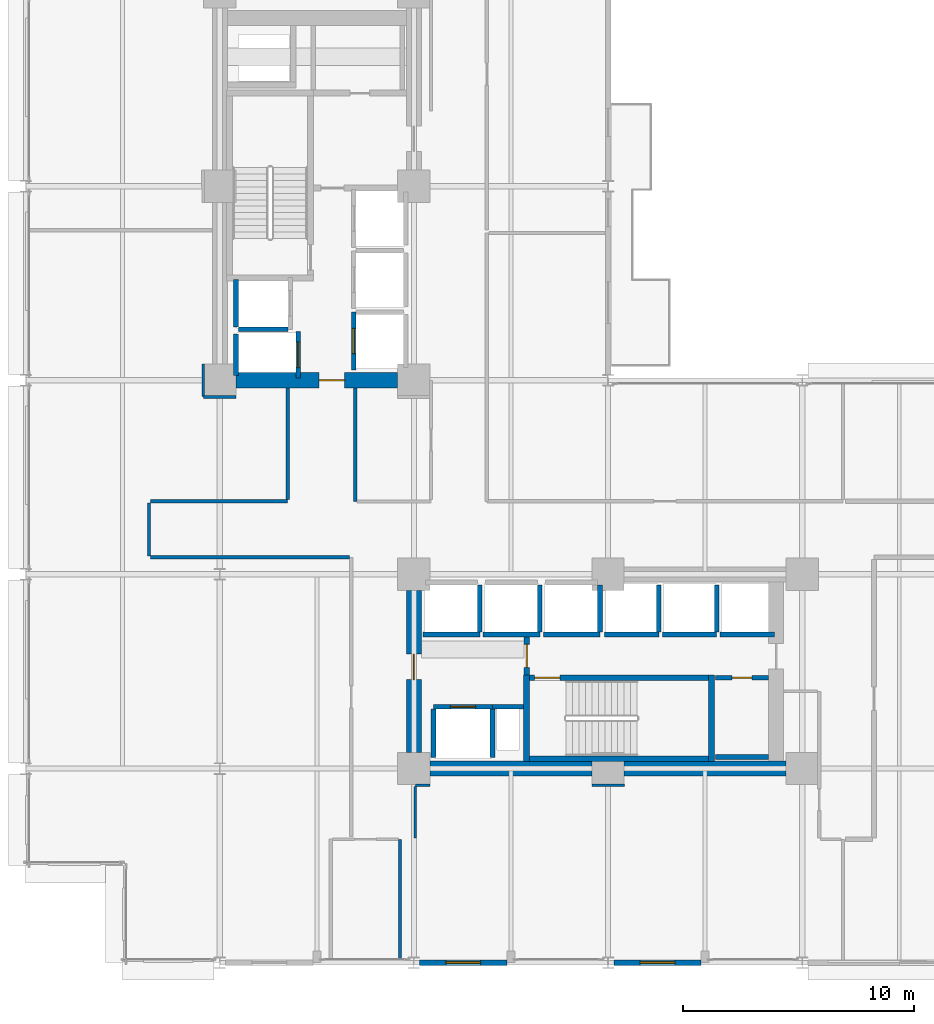
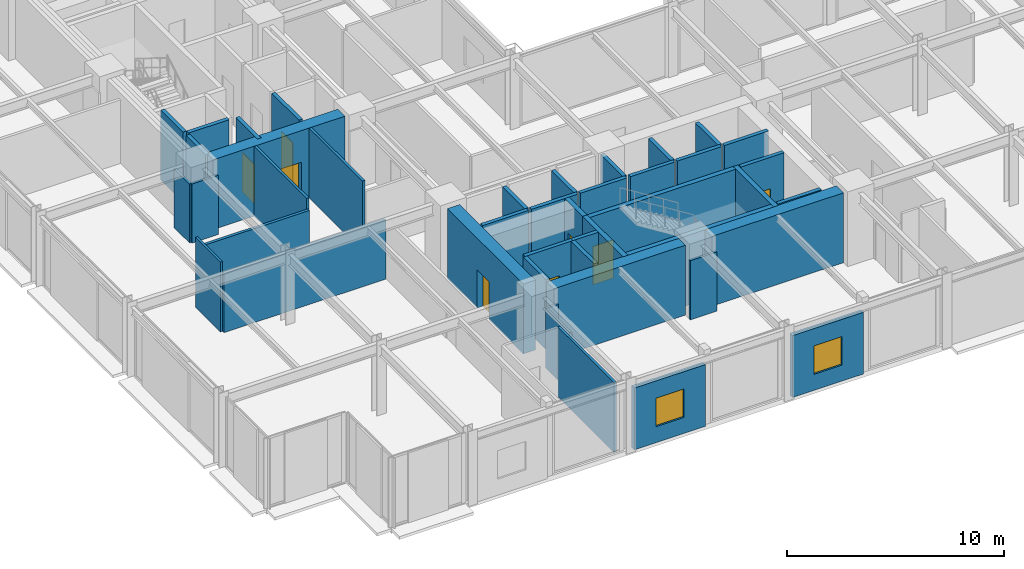
# One storey, part 20 of 25: 44 walls, 8 doors, 2 windows, 10 openings.
"""IFC4 building model written with IfcOpenShell, lengths in metres."""

from ifc_helpers import new_model, si_unit, direction, frame, frame_2d, origin, place, context, subcontext, project, spatial, rectangle, extrude, material, layer, layer_set, type_object, element, fill, save


model = new_model("IFC4")

# Units and contexts
model_context = context("Model", 3, precision=1e-05, world=origin(), true_north=direction((0.0, 1.0)))
body_context = subcontext(model_context, "Body", "Model", "MODEL_VIEW")
ifc_project = project(units=[si_unit("LENGTHUNIT", "METRE"), si_unit("AREAUNIT", "SQUARE_METRE"), si_unit("VOLUMEUNIT", "CUBIC_METRE"), si_unit("PLANEANGLEUNIT", "RADIAN"), si_unit("MASSUNIT", "GRAM", prefix="KILO")], contexts=[model_context])

# Site, building, storey
site_placement = place(None, origin())
site = spatial("IfcSite", under=ifc_project, at=site_placement, CompositionType="ELEMENT")
building_placement = place(site_placement, origin())
building = spatial("IfcBuilding", under=site, at=building_placement, Name="Nerrivon Quay Data Exchange", CompositionType="ELEMENT")
storey_placement = place(building_placement, frame((0.0, 0.0, 24.800048828125)))
storey = spatial("IfcBuildingStorey", under=building, at=storey_placement, Name="L05", CompositionType="ELEMENT", Elevation=24.800048828125)

# Wall, opening, window
ifc_material_1 = material(Name="Architectural terracotta precast concrete N50 (50 MPa)", Category="masonry")
ifc_layer_1 = layer(ifc_material_1, 0.239990234375)
ifc_layer_set_1 = layer_set([ifc_layer_1], Name="Architectural terracotta precast concrete N50 (50 MPa)")
wall_type_1 = type_object("IfcWallType", Name="EW-PREC-240", PredefinedType="STANDARD", material=ifc_layer_set_1)
wall_1_placement = place(storey_placement, frame((29.22509765625, 0.0, 0.0), z_axis=(0.0, 0.0, 1.0), x_axis=(-1.0, 0.0, 0.0)))
wall_1 = element("IfcWall", 1, at=wall_1_placement, inside=storey, type_object=wall_type_1, Name="L05 Podium Precast Spandrel Wall 5", PredefinedType="STANDARD", context=body_context, shape_type="SweptSolid", body=[
    extrude(rectangle(XDim=3.775146484375, YDim=0.239990234375, at=frame_2d((1.8876953125, 0.0))), origin(), (0.0, 0.0, 1.0), 3.470947265625),
])
opening_1_placement = place(wall_1_placement, frame((1.137451171875, 0.0, 0.89990234375)))
opening_1 = element("IfcOpeningElement", 2, at=opening_1_placement, cuts=wall_1, Name="Opening WN4", PredefinedType="OPENING", context=body_context, shape_type="SweptSolid", body=[
    extrude(rectangle(XDim=1.5, YDim=1.60009765625, at=frame_2d((0.75, 0.800048828125))), frame((0.0, 0.1298828125, 0.0), z_axis=(0.0, -1.0, 0.0), x_axis=(1.0, 0.0, 0.0)), (0.0, 0.0, 1.0), 0.260009765625),
])
ifc_material_2 = material(Name="Double-glazed low-E solar control glass", Category="glass")
window_type = type_object("IfcWindowType", Name="WIN-W4-1500x1600", PartitioningType="SINGLE_PANEL", PredefinedType="WINDOW", material=ifc_material_2)
window_1_placement = place(opening_1_placement, origin())
window_1 = element("IfcWindow", 3, at=window_1_placement, inside=storey, type_object=window_type, Name="L05 Solar Facade Window 5", OverallHeight=1.60009765625, OverallWidth=1.5, PartitioningType="SINGLE_PANEL", PredefinedType="WINDOW", context=body_context, shape_type="SweptSolid", body=[
    extrude(rectangle(XDim=1.5, YDim=1.60009765625, at=frame_2d((0.75, 0.800048828125))), frame((0.0, 0.030029296875, 0.0), z_axis=(0.0, -1.0, 0.0), x_axis=(1.0, 0.0, 0.0)), (0.0, 0.0, 1.0), 0.06005859375),
])
fill(opening_1, window_1)

wall_2_placement = place(storey_placement, frame((20.824951171875, 0.0, 0.0), z_axis=(0.0, 0.0, 1.0), x_axis=(-1.0, 0.0, 0.0)))
wall_2 = element("IfcWall", 4, at=wall_2_placement, inside=storey, type_object=wall_type_1, Name="L05 Podium Precast Spandrel Wall 7", PredefinedType="STANDARD", context=body_context, shape_type="SweptSolid", body=[
    extrude(rectangle(XDim=3.77490234375, YDim=0.239990234375, at=frame_2d((1.887451171875, 0.0))), origin(), (0.0, 0.0, 1.0), 3.470947265625),
])
opening_2_placement = place(wall_2_placement, frame((1.137451171875, 0.0, 0.89990234375)))
opening_2 = element("IfcOpeningElement", 5, at=opening_2_placement, cuts=wall_2, Name="Opening WN4", PredefinedType="OPENING", context=body_context, shape_type="SweptSolid", body=[
    extrude(rectangle(XDim=1.5, YDim=1.60009765625, at=frame_2d((0.75, 0.800048828125))), frame((0.0, 0.1298828125, 0.0), z_axis=(0.0, -1.0, 0.0), x_axis=(1.0, 0.0, 0.0)), (0.0, 0.0, 1.0), 0.260009765625),
])
window_2_placement = place(opening_2_placement, origin())
window_2 = element("IfcWindow", 6, at=window_2_placement, inside=storey, type_object=window_type, Name="L05 Solar Facade Window 7", OverallHeight=1.60009765625, OverallWidth=1.5, PartitioningType="SINGLE_PANEL", PredefinedType="WINDOW", context=body_context, shape_type="SweptSolid", body=[
    extrude(rectangle(XDim=1.5, YDim=1.60009765625, at=frame_2d((0.75, 0.800048828125))), frame((0.0, 0.030029296875, 0.0), z_axis=(0.0, -1.0, 0.0), x_axis=(1.0, 0.0, 0.0)), (0.0, 0.0, 1.0), 0.06005859375),
])
fill(opening_2, window_2)

# Wall, opening, door
ifc_material_3 = material(Name="Concrete N80 (80 MPa)", Category="concrete")
ifc_layer_2 = layer(ifc_material_3, 0.64990234375)
ifc_layer_set_2 = layer_set([ifc_layer_2], Name="Concrete N80 (80 MPa)")
wall_type_2 = type_object("IfcWallType", Name="WALL-CW-850", PredefinedType="SHEAR", material=ifc_layer_set_2)
wall_3_placement = place(storey_placement, frame((9.10009765625, 25.199951171875, 0.0), z_axis=(0.0, 0.0, 1.0), x_axis=(1.0, 0.0, 0.0)))
wall_3 = element("IfcWall", 7, at=wall_3_placement, inside=storey, type_object=wall_type_2, Name="L05 West Split-Core Shear Wall WCW-S1", PredefinedType="SHEAR", context=body_context, shape_type="SweptSolid", body=[
    extrude(rectangle(XDim=7.0, YDim=0.64990234375, at=frame_2d((3.5, 0.0))), origin(), (0.0, 0.0, 1.0), 3.925048828125),
])
opening_3_placement = place(wall_3_placement, frame((3.60009765625, 0.0, 0.0)))
opening_3 = element("IfcOpeningElement", 8, at=opening_3_placement, cuts=wall_3, Name="Opening FD-120", PredefinedType="OPENING", context=body_context, shape_type="SweptSolid", body=[
    extrude(rectangle(XDim=1.10009765625, YDim=2.14990234375, at=frame_2d((0.550048828125, 1.074951171875))), frame((0.0, 0.3349609375, 0.0), z_axis=(0.0, -1.0, 0.0), x_axis=(1.0, 0.0, 0.0)), (0.0, 0.0, 1.0), 0.669921875),
])
ifc_material_4 = material(Name="Powder-coated galvanized steel sheet", Category="steel")
door_type_1 = type_object("IfcDoorType", Name="DR-FD120-1100", OperationType="NOTDEFINED", PredefinedType="DOOR", material=ifc_material_4)
door_1_placement = place(opening_3_placement, origin())
door_1 = element("IfcDoor", 9, at=door_1_placement, inside=storey, type_object=door_type_1, Name="L05 West Core Lobby Fire Door", OperationType="SINGLE_SWING_LEFT", OverallHeight=2.14990234375, OverallWidth=1.10009765625, PredefinedType="DOOR", context=body_context, shape_type="SweptSolid", body=[
    extrude(rectangle(XDim=1.10009765625, YDim=2.14990234375, at=frame_2d((0.550048828125, 1.074951171875))), frame((0.0, 0.02490234375, 0.0), z_axis=(0.0, -1.0, 0.0), x_axis=(1.0, 0.0, 0.0)), (0.0, 0.0, 1.0), 0.050048828125),
])
fill(opening_3, door_1)

# Walls
for number, where, z_axis, x_axis, name in (
    (10, (17.5, 8.39990234375, 0.0), (0.0, 0.0, 1.0), (1.0, 0.0, 0.0), "L05 East Split-Core Shear Wall ECW-S1"),
    (11, (25.89990234375, 8.39990234375, 0.0), (0.0, 0.0, 1.0), (1.0, 0.0, 0.0), "L05 East Split-Core Shear Wall ECW-S2"),
):
    element("IfcWall", number, at=place(storey_placement, frame(where, z_axis=z_axis, x_axis=x_axis)), inside=storey, type_object=wall_type_2, Name=name, PredefinedType="SHEAR", context=body_context, shape_type="SweptSolid", body=[
        extrude(rectangle(XDim=7.0, YDim=0.64990234375, at=frame_2d((3.5, 0.0))), origin(), (0.0, 0.0, 1.0), 3.925048828125),
    ])

# Wall, opening, door
wall_4_placement = place(storey_placement, frame((16.800048828125, 9.10009765625, 0.0), z_axis=(0.0, 0.0, 1.0), x_axis=(0.0, 1.0, 0.0)))
wall_4 = element("IfcWall", 12, at=wall_4_placement, inside=storey, type_object=wall_type_2, Name="L05 East Split-Core Shear Wall ECW-W1", PredefinedType="SHEAR", context=body_context, shape_type="SweptSolid", body=[
    extrude(rectangle(XDim=7.0, YDim=0.64990234375, at=frame_2d((3.5, 0.0))), origin(), (0.0, 0.0, 1.0), 3.925048828125),
])
opening_4_placement = place(wall_4_placement, frame((3.14990234375, 0.0, 0.0)))
opening_4 = element("IfcOpeningElement", 13, at=opening_4_placement, cuts=wall_4, Name="Opening FD-120", PredefinedType="OPENING", context=body_context, shape_type="SweptSolid", body=[
    extrude(rectangle(XDim=1.10009765625, YDim=2.14990234375, at=frame_2d((0.550048828125, 1.074951171875))), frame((0.0, 0.3349609375, 0.0), z_axis=(0.0, -1.0, 0.0), x_axis=(1.0, 0.0, 0.0)), (0.0, 0.0, 1.0), 0.669921875),
])
door_2_placement = place(opening_4_placement, origin())
door_2 = element("IfcDoor", 14, at=door_2_placement, inside=storey, type_object=door_type_1, Name="L05 East Core Lobby Fire Door", OperationType="SINGLE_SWING_LEFT", OverallHeight=2.14990234375, OverallWidth=1.10009765625, PredefinedType="DOOR", context=body_context, shape_type="SweptSolid", body=[
    extrude(rectangle(XDim=1.10009765625, YDim=2.14990234375, at=frame_2d((0.550048828125, 1.074951171875))), frame((0.0, 0.02490234375, 0.0), z_axis=(0.0, -1.0, 0.0), x_axis=(1.0, 0.0, 0.0)), (0.0, 0.0, 1.0), 0.050048828125),
])
fill(opening_4, door_2)

# Walls
ifc_material_5 = material(Name="Gypsum plasterboard on cold-formed framing", Category="gypsum")
ifc_layer_3 = layer(ifc_material_5, 0.199951171875)
ifc_layer_set_3 = layer_set([ifc_layer_3], Name="Gypsum plasterboard on cold-formed framing")
wall_type_3 = type_object("IfcWallType", Name="WALL-FW-200", PredefinedType="PARTITIONING", material=ifc_layer_set_3)
wall_5_placement = place(storey_placement, frame((20.199951171875, 11.080078125, 0.0), z_axis=(0.0, 0.0, 1.0), x_axis=(1.0, 0.0, 0.0)))
element("IfcWall", 15, at=wall_5_placement, inside=storey, type_object=wall_type_3, Name="L05 East Core MEP Riser Shaft Wall N", PredefinedType="PARTITIONING", context=body_context, shape_type="SweptSolid", body=[
    extrude(rectangle(XDim=1.35009765625, YDim=0.199951171875, at=frame_2d((0.675048828125, 0.0))), origin(), (0.0, 0.0, 1.0), 3.925048828125),
])
wall_6_placement = place(storey_placement, frame((9.10009765625, 27.5, 0.0), z_axis=(0.0, 0.0, 1.0), x_axis=(0.0, 1.0, 0.0)))
element("IfcWall", 16, at=wall_6_placement, inside=storey, type_object=wall_type_3, Name="L05 Lift Shaft Wall FFL-1 WEST", PredefinedType="PARTITIONING", context=body_context, shape_type="SweptSolid", body=[
    extrude(rectangle(XDim=2.050048828125, YDim=0.199951171875, at=frame_2d((1.02490234375, 0.0))), origin(), (0.0, 0.0, 1.0), 3.925048828125),
])
wall_7_placement = place(storey_placement, frame((9.199951171875, 27.39990234375, 0.0), z_axis=(0.0, 0.0, 1.0), x_axis=(1.0, 0.0, 0.0)))
element("IfcWall", 17, at=wall_7_placement, inside=storey, type_object=wall_type_3, Name="L05 Lift Shaft Wall FFL-1 SOUTH", PredefinedType="PARTITIONING", context=body_context, shape_type="SweptSolid", body=[
    extrude(rectangle(XDim=2.150146484375, YDim=0.199951171875, at=frame_2d((1.0751953125, 0.0))), origin(), (0.0, 0.0, 1.0), 3.925048828125),
])

# Wall, opening, door
wall_8_placement = place(storey_placement, frame((11.800048828125, 25.300048828125, 0.0), z_axis=(0.0, 0.0, 1.0), x_axis=(0.0, 1.0, 0.0)))
wall_8 = element("IfcWall", 18, at=wall_8_placement, inside=storey, type_object=wall_type_3, Name="L05 Lift Front Wall SVL-1", PredefinedType="PARTITIONING", context=body_context, shape_type="SweptSolid", body=[
    extrude(rectangle(XDim=2.0, YDim=0.199951171875, at=frame_2d((1.0, 0.0))), origin(), (0.0, 0.0, 1.0), 3.925048828125),
])
opening_5_placement = place(wall_8_placement, frame((0.449951171875, 0.0, 0.0)))
opening_5 = element("IfcOpeningElement", 19, at=opening_5_placement, cuts=wall_8, Name="Opening LD-120", PredefinedType="OPENING", context=body_context, shape_type="SweptSolid", body=[
    extrude(rectangle(XDim=1.10009765625, YDim=2.199951171875, at=frame_2d((0.550048828125, 1.10009765625))), frame((0.0, 0.10986328125, 0.0), z_axis=(0.0, -1.0, 0.0), x_axis=(1.0, 0.0, 0.0)), (0.0, 0.0, 1.0), 0.219970703125),
])
door_type_2 = type_object("IfcDoorType", Name="DR-LIFT-LD120", OperationType="DOUBLE_DOOR_SLIDING", PredefinedType="DOOR", material=ifc_material_4)
door_3_placement = place(opening_5_placement, origin())
door_3 = element("IfcDoor", 20, at=door_3_placement, inside=storey, type_object=door_type_2, Name="L05 Lift Landing Sliding Door SVL-1", OperationType="DOUBLE_DOOR_SLIDING", OverallHeight=2.199951171875, OverallWidth=1.10009765625, PredefinedType="DOOR", context=body_context, shape_type="SweptSolid", body=[
    extrude(rectangle(XDim=1.10009765625, YDim=2.199951171875, at=frame_2d((0.550048828125, 1.10009765625))), frame((0.0, 0.02490234375, 0.0), z_axis=(0.0, -1.0, 0.0), x_axis=(1.0, 0.0, 0.0)), (0.0, 0.0, 1.0), 0.050048828125),
])
fill(opening_5, door_3)

# Wall
wall_9_placement = place(storey_placement, frame((9.10009765625, 25.39990234375, 0.0), z_axis=(0.0, 0.0, 1.0), x_axis=(0.0, 1.0, 0.0)))
element("IfcWall", 21, at=wall_9_placement, inside=storey, type_object=wall_type_3, Name="L05 Lift Shaft Wall SVL-1 WEST", PredefinedType="PARTITIONING", context=body_context, shape_type="SweptSolid", body=[
    extrude(rectangle(XDim=1.800048828125, YDim=0.199951171875, at=frame_2d((0.89990234375, 0.0))), origin(), (0.0, 0.0, 1.0), 3.925048828125),
])

# Wall, opening, door
wall_10_placement = place(storey_placement, frame((14.199951171875, 25.64990234375, 0.0), z_axis=(0.0, 0.0, 1.0), x_axis=(0.0, 1.0, 0.0)))
wall_10 = element("IfcWall", 22, at=wall_10_placement, inside=storey, type_object=wall_type_3, Name="L05 Lift Front Wall PL1", PredefinedType="PARTITIONING", context=body_context, shape_type="SweptSolid", body=[
    extrude(rectangle(XDim=2.5, YDim=0.199951171875, at=frame_2d((1.25, 0.0))), origin(), (0.0, 0.0, 1.0), 3.925048828125),
])
opening_6_placement = place(wall_10_placement, frame((0.699951171875, 0.0, 0.0)))
opening_6 = element("IfcOpeningElement", 23, at=opening_6_placement, cuts=wall_10, Name="Opening LD-120", PredefinedType="OPENING", context=body_context, shape_type="SweptSolid", body=[
    extrude(rectangle(XDim=1.10009765625, YDim=2.199951171875, at=frame_2d((0.550048828125, 1.10009765625))), frame((0.0, 0.10986328125, 0.0), z_axis=(0.0, -1.0, 0.0), x_axis=(1.0, 0.0, 0.0)), (0.0, 0.0, 1.0), 0.219970703125),
])
door_4_placement = place(opening_6_placement, origin())
door_4 = element("IfcDoor", 24, at=door_4_placement, inside=storey, type_object=door_type_2, Name="L05 Lift Landing Sliding Door PL1", OperationType="DOUBLE_DOOR_SLIDING", OverallHeight=2.199951171875, OverallWidth=1.10009765625, PredefinedType="DOOR", context=body_context, shape_type="SweptSolid", body=[
    extrude(rectangle(XDim=1.10009765625, YDim=2.199951171875, at=frame_2d((0.550048828125, 1.10009765625))), frame((0.0, 0.02490234375, 0.0), z_axis=(0.0, -1.0, 0.0), x_axis=(1.0, 0.0, 0.0)), (0.0, 0.0, 1.0), 0.050048828125),
])
fill(opening_6, door_4)

wall_11_placement = place(storey_placement, frame((17.64990234375, 11.080078125, 0.0), z_axis=(0.0, 0.0, 1.0), x_axis=(1.0, 0.0, 0.0)))
wall_11 = element("IfcWall", 25, at=wall_11_placement, inside=storey, type_object=wall_type_3, Name="L05 Lift Front Wall FFL-2", PredefinedType="PARTITIONING", context=body_context, shape_type="SweptSolid", body=[
    extrude(rectangle(XDim=2.550048828125, YDim=0.199951171875, at=frame_2d((1.27490234375, 0.0))), origin(), (0.0, 0.0, 1.0), 3.925048828125),
])
opening_7_placement = place(wall_11_placement, frame((0.72509765625, 0.0, 0.0)))
opening_7 = element("IfcOpeningElement", 26, at=opening_7_placement, cuts=wall_11, Name="Opening LD-120", PredefinedType="OPENING", context=body_context, shape_type="SweptSolid", body=[
    extrude(rectangle(XDim=1.10009765625, YDim=2.199951171875, at=frame_2d((0.550048828125, 1.10009765625))), frame((0.0, 0.10986328125, 0.0), z_axis=(0.0, -1.0, 0.0), x_axis=(1.0, 0.0, 0.0)), (0.0, 0.0, 1.0), 0.219970703125),
])
door_5_placement = place(opening_7_placement, origin())
door_5 = element("IfcDoor", 27, at=door_5_placement, inside=storey, type_object=door_type_2, Name="L05 Lift Landing Sliding Door FFL-2", OperationType="DOUBLE_DOOR_SLIDING", OverallHeight=2.199951171875, OverallWidth=1.10009765625, PredefinedType="DOOR", context=body_context, shape_type="SweptSolid", body=[
    extrude(rectangle(XDim=1.10009765625, YDim=2.199951171875, at=frame_2d((0.550048828125, 1.10009765625))), frame((0.0, 0.02490234375, 0.0), z_axis=(0.0, -1.0, 0.0), x_axis=(1.0, 0.0, 0.0)), (0.0, 0.0, 1.0), 0.050048828125),
])
fill(opening_7, door_5)

# Walls
for number, where, z_axis, x_axis, name in (
    (28, (20.199951171875, 8.8798828125, 0.0), (0.0, 0.0, 1.0), (0.0, 1.0, 0.0), "L05 Lift Shaft Wall FFL-2 EAST"),
    (29, (17.64990234375, 8.8798828125, 0.0), (0.0, 0.0, 1.0), (0.0, 1.0, 0.0), "L05 Lift Shaft Wall FFL-2 WEST"),
):
    element("IfcWall", number, at=place(storey_placement, frame(where, z_axis=z_axis, x_axis=x_axis)), inside=storey, type_object=wall_type_3, Name=name, PredefinedType="PARTITIONING", context=body_context, shape_type="SweptSolid", body=[
        extrude(rectangle(XDim=2.10009765625, YDim=0.199951171875, at=frame_2d((1.050048828125, 0.0))), origin(), (0.0, 0.0, 1.0), 3.925048828125),
    ])
wall_12_placement = place(storey_placement, frame((17.199951171875, 14.199951171875, 0.0), z_axis=(0.0, 0.0, 1.0), x_axis=(1.0, 0.0, 0.0)))
element("IfcWall", 30, at=wall_12_placement, inside=storey, type_object=wall_type_3, Name="L05 Lift Front Wall PL4", PredefinedType="PARTITIONING", context=body_context, shape_type="SweptSolid", body=[
    extrude(rectangle(XDim=2.449951171875, YDim=0.199951171875, at=frame_2d((1.22509765625, 0.0))), origin(), (0.0, 0.0, 1.0), 3.925048828125),
])
wall_13_placement = place(storey_placement, frame((19.64990234375, 14.300048828125, 0.0), z_axis=(0.0, 0.0, 1.0), x_axis=(0.0, 1.0, 0.0)))
element("IfcWall", 31, at=wall_13_placement, inside=storey, type_object=wall_type_3, Name="L05 Lift Shaft Wall PL4 EAST", PredefinedType="PARTITIONING", context=body_context, shape_type="SweptSolid", body=[
    extrude(rectangle(XDim=2.050048828125, YDim=0.199951171875, at=frame_2d((1.02490234375, 0.0))), origin(), (0.0, 0.0, 1.0), 3.925048828125),
])
wall_14_placement = place(storey_placement, frame((19.800048828125, 14.199951171875, 0.0), z_axis=(0.0, 0.0, 1.0), x_axis=(1.0, 0.0, 0.0)))
element("IfcWall", 32, at=wall_14_placement, inside=storey, type_object=wall_type_3, Name="L05 Lift Front Wall PL5", PredefinedType="PARTITIONING", context=body_context, shape_type="SweptSolid", body=[
    extrude(rectangle(XDim=2.449951171875, YDim=0.199951171875, at=frame_2d((1.22509765625, 0.0))), origin(), (0.0, 0.0, 1.0), 3.925048828125),
])
wall_15_placement = place(storey_placement, frame((22.25, 14.300048828125, 0.0), z_axis=(0.0, 0.0, 1.0), x_axis=(0.0, 1.0, 0.0)))
element("IfcWall", 33, at=wall_15_placement, inside=storey, type_object=wall_type_3, Name="L05 Lift Shaft Wall PL5 EAST", PredefinedType="PARTITIONING", context=body_context, shape_type="SweptSolid", body=[
    extrude(rectangle(XDim=2.050048828125, YDim=0.199951171875, at=frame_2d((1.02490234375, 0.0))), origin(), (0.0, 0.0, 1.0), 3.925048828125),
])
wall_16_placement = place(storey_placement, frame((22.39990234375, 14.199951171875, 0.0), z_axis=(0.0, 0.0, 1.0), x_axis=(1.0, 0.0, 0.0)))
element("IfcWall", 34, at=wall_16_placement, inside=storey, type_object=wall_type_3, Name="L05 Lift Front Wall PL6", PredefinedType="PARTITIONING", context=body_context, shape_type="SweptSolid", body=[
    extrude(rectangle(XDim=2.4501953125, YDim=0.199951171875, at=frame_2d((1.22509765625, 0.0))), origin(), (0.0, 0.0, 1.0), 3.925048828125),
])
wall_17_placement = place(storey_placement, frame((24.85009765625, 14.300048828125, 0.0), z_axis=(0.0, 0.0, 1.0), x_axis=(0.0, 1.0, 0.0)))
element("IfcWall", 35, at=wall_17_placement, inside=storey, type_object=wall_type_3, Name="L05 Lift Shaft Wall PL6 EAST", PredefinedType="PARTITIONING", context=body_context, shape_type="SweptSolid", body=[
    extrude(rectangle(XDim=2.050048828125, YDim=0.199951171875, at=frame_2d((1.02490234375, 0.0))), origin(), (0.0, 0.0, 1.0), 3.925048828125),
])
wall_18_placement = place(storey_placement, frame((25.050048828125, 14.199951171875, 0.0), z_axis=(0.0, 0.0, 1.0), x_axis=(1.0, 0.0, 0.0)))
element("IfcWall", 36, at=wall_18_placement, inside=storey, type_object=wall_type_3, Name="L05 Lift Front Wall PL7", PredefinedType="PARTITIONING", context=body_context, shape_type="SweptSolid", body=[
    extrude(rectangle(XDim=2.349853515625, YDim=0.199951171875, at=frame_2d((1.1748046875, 0.0))), origin(), (0.0, 0.0, 1.0), 3.925048828125),
])
wall_19_placement = place(storey_placement, frame((27.39990234375, 14.300048828125, 0.0), z_axis=(0.0, 0.0, 1.0), x_axis=(0.0, 1.0, 0.0)))
element("IfcWall", 37, at=wall_19_placement, inside=storey, type_object=wall_type_3, Name="L05 Lift Shaft Wall PL7 EAST", PredefinedType="PARTITIONING", context=body_context, shape_type="SweptSolid", body=[
    extrude(rectangle(XDim=2.050048828125, YDim=0.199951171875, at=frame_2d((1.02490234375, 0.0))), origin(), (0.0, 0.0, 1.0), 3.925048828125),
])
wall_20_placement = place(storey_placement, frame((27.550048828125, 14.199951171875, 0.0), z_axis=(0.0, 0.0, 1.0), x_axis=(1.0, 0.0, 0.0)))
element("IfcWall", 38, at=wall_20_placement, inside=storey, type_object=wall_type_3, Name="L05 Lift Front Wall PL8", PredefinedType="PARTITIONING", context=body_context, shape_type="SweptSolid", body=[
    extrude(rectangle(XDim=2.349853515625, YDim=0.199951171875, at=frame_2d((1.1748046875, 0.0))), origin(), (0.0, 0.0, 1.0), 3.925048828125),
])
wall_21_placement = place(storey_placement, frame((29.89990234375, 14.300048828125, 0.0), z_axis=(0.0, 0.0, 1.0), x_axis=(0.0, 1.0, 0.0)))
element("IfcWall", 39, at=wall_21_placement, inside=storey, type_object=wall_type_3, Name="L05 Lift Shaft Wall PL8 EAST", PredefinedType="PARTITIONING", context=body_context, shape_type="SweptSolid", body=[
    extrude(rectangle(XDim=2.050048828125, YDim=0.199951171875, at=frame_2d((1.02490234375, 0.0))), origin(), (0.0, 0.0, 1.0), 3.925048828125),
])
wall_22_placement = place(storey_placement, frame((30.050048828125, 14.199951171875, 0.0), z_axis=(0.0, 0.0, 1.0), x_axis=(1.0, 0.0, 0.0)))
element("IfcWall", 40, at=wall_22_placement, inside=storey, type_object=wall_type_3, Name="L05 Lift Front Wall PL9", PredefinedType="PARTITIONING", context=body_context, shape_type="SweptSolid", body=[
    extrude(rectangle(XDim=2.349853515625, YDim=0.199951171875, at=frame_2d((1.1748046875, 0.0))), origin(), (0.0, 0.0, 1.0), 3.925048828125),
])

# Wall, opening, door
wall_23_placement = place(storey_placement, frame((32.14599609375, 12.330078125, 0.0), z_axis=(0.0, 0.0, 1.0), x_axis=(-1.0, 0.0, 0.0)))
wall_23 = element("IfcWall", 41, at=wall_23_placement, inside=storey, type_object=wall_type_3, Name="L05 Partition East Telecom Closet", PredefinedType="PARTITIONING", context=body_context, shape_type="SweptSolid", body=[
    extrude(rectangle(XDim=2.2958984375, YDim=0.199951171875, at=frame_2d((1.14794921875, 0.0))), origin(), (0.0, 0.0, 1.0), 3.925048828125),
])
opening_8_placement = place(wall_23_placement, frame((0.722900390625, 0.0, 0.0)))
opening_8 = element("IfcOpeningElement", 42, at=opening_8_placement, cuts=wall_23, Name="Opening FD-60S", PredefinedType="OPENING", context=body_context, shape_type="SweptSolid", body=[
    extrude(rectangle(XDim=0.85009765625, YDim=2.14990234375, at=frame_2d((0.425048828125, 1.074951171875))), frame((0.0, 0.10986328125, 0.0), z_axis=(0.0, -1.0, 0.0), x_axis=(1.0, 0.0, 0.0)), (0.0, 0.0, 1.0), 0.219970703125),
])
ifc_material_6 = material(Name="Engineered hardwood timber", Category="wood")
door_type_3 = type_object("IfcDoorType", Name="DR-FD60-850", OperationType="NOTDEFINED", PredefinedType="DOOR", material=ifc_material_6)
door_6_placement = place(opening_8_placement, origin())
door_6 = element("IfcDoor", 43, at=door_6_placement, inside=storey, type_object=door_type_3, Name="L05 Door East Telecom Closet", OperationType="SINGLE_SWING_LEFT", OverallHeight=2.14990234375, OverallWidth=0.85009765625, PredefinedType="DOOR", context=body_context, shape_type="SweptSolid", body=[
    extrude(rectangle(XDim=0.85009765625, YDim=2.14990234375, at=frame_2d((0.425048828125, 1.074951171875))), frame((0.0, 0.02490234375, 0.0), z_axis=(0.0, -1.0, 0.0), x_axis=(1.0, 0.0, 0.0)), (0.0, 0.0, 1.0), 0.050048828125),
])
fill(opening_8, door_6)

# Walls
wall_24_placement = place(storey_placement, frame((29.85009765625, 8.89990234375, 0.0), z_axis=(0.0, 0.0, 1.0), x_axis=(1.0, 0.0, 0.0)))
element("IfcWall", 44, at=wall_24_placement, inside=storey, type_object=wall_type_3, Name="L05 Partition East Telecom Closet", PredefinedType="PARTITIONING", context=body_context, shape_type="SweptSolid", body=[
    extrude(rectangle(XDim=2.2958984375, YDim=0.199951171875, at=frame_2d((1.14794921875, 0.0))), origin(), (0.0, 0.0, 1.0), 3.925048828125),
])
ifc_layer_4 = layer(ifc_material_5, 0.1201171875)
ifc_layer_set_4 = layer_set([ifc_layer_4], Name="Gypsum plasterboard on cold-formed framing")
wall_type_4 = type_object("IfcWallType", Name="WALL-PT-120", PredefinedType="PARTITIONING", material=ifc_layer_set_4)
wall_25_placement = place(storey_placement, frame((25.90576171875, 7.680908203125, 0.0), z_axis=(0.0, 0.0, 1.0), x_axis=(-0.999999758706, -0.000694685487, 0.0)))
element("IfcWall", 45, at=wall_25_placement, inside=storey, type_object=wall_type_4, Name="L05 Partition Technical Library", PredefinedType="PARTITIONING", context=body_context, shape_type="SweptSolid", body=[
    extrude(rectangle(XDim=1.40576171875, YDim=0.1201171875, at=frame_2d((0.702880859375, 0.0))), origin(), (0.0, 0.0, 1.0), 3.322998046875),
])
wall_26_placement = place(storey_placement, frame((17.5, 7.679931640625, 0.0), z_axis=(0.0, 0.0, 1.0), x_axis=(-1.0, 0.0, 0.0)))
element("IfcWall", 46, at=wall_26_placement, inside=storey, type_object=wall_type_4, Name="L05 Partition Technical Library", PredefinedType="PARTITIONING", context=body_context, shape_type="SweptSolid", body=[
    extrude(rectangle(XDim=0.639892578125, YDim=0.1201171875, at=frame_2d((0.31982421875, 0.0))), origin(), (0.0, 0.0, 1.0), 3.322998046875),
])
wall_27_placement = place(storey_placement, frame((16.860107421875, 7.615966796875, 0.0), z_axis=(0.0, 0.0, 1.0), x_axis=(0.0, -1.0, 0.0)))
element("IfcWall", 47, at=wall_27_placement, inside=storey, type_object=wall_type_4, Name="L05 Partition Technical Library", PredefinedType="PARTITIONING", context=body_context, shape_type="SweptSolid", body=[
    extrude(rectangle(XDim=2.216064453125, YDim=0.1201171875, at=frame_2d((1.10791015625, 0.0))), origin(), (0.0, 0.0, 1.0), 3.322998046875),
])
wall_28_placement = place(storey_placement, frame((9.105712890625, 24.48095703125, 0.0), z_axis=(0.0, 0.0, 1.0), x_axis=(-0.999999758706, -0.000694685487, 0.0)))
element("IfcWall", 48, at=wall_28_placement, inside=storey, type_object=wall_type_4, Name="L05 Partition Optical Engineering Studios Workspace", PredefinedType="PARTITIONING", context=body_context, shape_type="SweptSolid", body=[
    extrude(rectangle(XDim=1.40576171875, YDim=0.1201171875, at=frame_2d((0.702880859375, 0.0))), origin(), (0.0, 0.0, 1.0), 3.322998046875),
])
wall_29_placement = place(storey_placement, frame((7.680908203125, 24.494140625, 0.0), z_axis=(0.0, 0.0, 1.0), x_axis=(0.0, 1.0, 0.0)))
element("IfcWall", 49, at=wall_29_placement, inside=storey, type_object=wall_type_4, Name="L05 Partition Optical Engineering Studios Workspace", PredefinedType="PARTITIONING", context=body_context, shape_type="SweptSolid", body=[
    extrude(rectangle(XDim=1.41162109375, YDim=0.1201171875, at=frame_2d((0.705810546875, 0.0))), origin(), (0.0, 0.0, 1.0), 3.31298828125),
])
wall_30_placement = place(storey_placement, frame((5.340087890625, 17.60009765625, 0.0), z_axis=(0.0, 0.0, 1.0), x_axis=(0.0, 1.0, 0.0)))
element("IfcWall", 50, at=wall_30_placement, inside=storey, type_object=wall_type_4, Name="L05 Partition Optical Engineering Studios Workspace", PredefinedType="PARTITIONING", context=body_context, shape_type="SweptSolid", body=[
    extrude(rectangle(XDim=2.2998046875, YDim=0.1201171875, at=frame_2d((1.14990234375, 0.0))), origin(), (0.0, 0.0, 1.0), 3.925048828125),
])
ifc_layer_5 = layer(ifc_material_5, 0.135009765625)
ifc_layer_set_5 = layer_set([ifc_layer_5], Name="Gypsum plasterboard on cold-formed framing")
wall_type_5 = type_object("IfcWallType", Name="WALL-PT-135", PredefinedType="PARTITIONING", material=ifc_layer_set_5)
wall_31_placement = place(storey_placement, frame((16.199951171875, 0.1689453125, 0.0), z_axis=(0.0, 0.0, 1.0), x_axis=(0.0, 1.0, 0.0)))
element("IfcWall", 51, at=wall_31_placement, inside=storey, type_object=wall_type_5, Name="L05 Partition Accessible Toilet", PredefinedType="PARTITIONING", context=body_context, shape_type="SweptSolid", body=[
    extrude(rectangle(XDim=5.171142578125, YDim=0.135009765625, at=frame_2d((2.58544921875, 0.0))), origin(), (0.0, 0.0, 1.0), 3.925048828125),
])
wall_32_placement = place(storey_placement, frame((14.260009765625, 24.87109375, 0.0), z_axis=(0.0, 0.0, 1.0), x_axis=(0.0, -1.0, 0.0)))
element("IfcWall", 52, at=wall_32_placement, inside=storey, type_object=wall_type_5, Name="L05 Partition Public Washrooms", PredefinedType="PARTITIONING", context=body_context, shape_type="SweptSolid", body=[
    extrude(rectangle(XDim=4.9111328125, YDim=0.135009765625, at=frame_2d((2.45556640625, 0.0))), origin(), (0.0, 0.0, 1.0), 3.925048828125),
])
wall_33_placement = place(storey_placement, frame((11.340087890625, 20.0390625, 0.0), z_axis=(0.0, 0.0, 1.0), x_axis=(0.0, 1.0, 0.0)))
element("IfcWall", 53, at=wall_33_placement, inside=storey, type_object=wall_type_5, Name="L05 Partition Optical Engineering Studios Workspace", PredefinedType="PARTITIONING", context=body_context, shape_type="SweptSolid", body=[
    extrude(rectangle(XDim=4.83203125, YDim=0.135009765625, at=frame_2d((2.416015625, 0.0))), origin(), (0.0, 0.0, 1.0), 3.925048828125),
])
ifc_layer_6 = layer(ifc_material_5, 0.14990234375)
ifc_layer_set_6 = layer_set([ifc_layer_6], Name="Gypsum plasterboard on cold-formed framing")
wall_type_6 = type_object("IfcWallType", Name="WALL-PT-150", PredefinedType="PARTITIONING", material=ifc_layer_set_6)
wall_34_placement = place(storey_placement, frame((14.010986328125, 17.5400390625, 0.0), z_axis=(0.0, 0.0, 1.0), x_axis=(-1.0, 0.0, 0.0)))
element("IfcWall", 54, at=wall_34_placement, inside=storey, type_object=wall_type_6, Name="L05 Partition Optical Engineering Studios Workspace", PredefinedType="PARTITIONING", context=body_context, shape_type="SweptSolid", body=[
    extrude(rectangle(XDim=8.611083984375, YDim=0.14990234375, at=frame_2d((4.3056640625, 0.0))), origin(), (0.0, 0.0, 1.0), 3.322998046875),
])
wall_35_placement = place(storey_placement, frame((5.39990234375, 19.9599609375, 0.0), z_axis=(0.0, 0.0, 1.0), x_axis=(1.0, 0.0, 0.0)))
element("IfcWall", 55, at=wall_35_placement, inside=storey, type_object=wall_type_6, Name="L05 Partition Optical Engineering Studios Workspace", PredefinedType="PARTITIONING", context=body_context, shape_type="SweptSolid", body=[
    extrude(rectangle(XDim=5.940185546875, YDim=0.14990234375, at=frame_2d((2.97021484375, 0.0))), origin(), (0.0, 0.0, 1.0), 3.322998046875),
])
ifc_material_7 = material(Name="Concrete N50 (50 MPa)", Category="concrete")
ifc_layer_7 = layer(ifc_material_7, 0.25)
ifc_layer_set_7 = layer_set([ifc_layer_7], Name="Concrete N50 (50 MPa)")
wall_type_7 = type_object("IfcWallType", Name="WALL-SW-250", PredefinedType="SHEAR", material=ifc_layer_set_7)
for number, where, z_axis, x_axis, name in (
    (56, (21.675048828125, 8.699951171875, 0.0), (0.0, 0.0, 1.0), (0.0, 1.0, 0.0), "L05 ST02 Structural Stair Core Wall NEAR"),
    (57, (29.675048828125, 8.699951171875, 0.0), (0.0, 0.0, 1.0), (0.0, 1.0, 0.0), "L05 ST02 Structural Stair Core Wall FAR"),
):
    element("IfcWall", number, at=place(storey_placement, frame(where, z_axis=z_axis, x_axis=x_axis)), inside=storey, type_object=wall_type_7, Name=name, PredefinedType="SHEAR", context=body_context, shape_type="SweptSolid", body=[
        extrude(rectangle(XDim=3.75, YDim=0.25, at=frame_2d((1.875, 0.0))), origin(), (0.0, 0.0, 1.0), 3.925048828125),
    ])
wall_36_placement = place(storey_placement, frame((21.800048828125, 8.824951171875, 0.0), z_axis=(0.0, 0.0, 1.0), x_axis=(1.0, 0.0, 0.0)))
element("IfcWall", 58, at=wall_36_placement, inside=storey, type_object=wall_type_7, Name="L05 ST02 Structural Stair Core Wall LEFT", PredefinedType="SHEAR", context=body_context, shape_type="SweptSolid", body=[
    extrude(rectangle(XDim=7.75, YDim=0.25, at=frame_2d((3.875, 0.0))), origin(), (0.0, 0.0, 1.0), 3.925048828125),
])

# Wall, opening, door
wall_37_placement = place(storey_placement, frame((21.800048828125, 12.324951171875, 0.0), z_axis=(0.0, 0.0, 1.0), x_axis=(1.0, 0.0, 0.0)))
wall_37 = element("IfcWall", 59, at=wall_37_placement, inside=storey, type_object=wall_type_7, Name="L05 ST02 Structural Stair Core Wall RIGHT", PredefinedType="SHEAR", context=body_context, shape_type="SweptSolid", body=[
    extrude(rectangle(XDim=7.75, YDim=0.25, at=frame_2d((3.875, 0.0))), origin(), (0.0, 0.0, 1.0), 3.925048828125),
])
opening_9_placement = place(wall_37_placement, frame((0.219970703125, 0.0, 0.0)))
opening_9 = element("IfcOpeningElement", 60, at=opening_9_placement, cuts=wall_37, Name="Opening FD-120", PredefinedType="OPENING", context=body_context, shape_type="SweptSolid", body=[
    extrude(rectangle(XDim=1.10009765625, YDim=2.14990234375, at=frame_2d((0.550048828125, 1.074951171875))), frame((0.0, 0.135009765625, 0.0), z_axis=(0.0, -1.0, 0.0), x_axis=(1.0, 0.0, 0.0)), (0.0, 0.0, 1.0), 0.27001953125),
])
door_7_placement = place(opening_9_placement, origin())
door_7 = element("IfcDoor", 61, at=door_7_placement, inside=storey, type_object=door_type_1, Name="L05 Protected Stair Door ST02", OperationType="SINGLE_SWING_LEFT", OverallHeight=2.14990234375, OverallWidth=1.10009765625, PredefinedType="DOOR", context=body_context, shape_type="SweptSolid", body=[
    extrude(rectangle(XDim=1.10009765625, YDim=2.14990234375, at=frame_2d((0.550048828125, 1.074951171875))), frame((0.0, 0.02490234375, 0.0), z_axis=(0.0, -1.0, 0.0), x_axis=(1.0, 0.0, 0.0)), (0.0, 0.0, 1.0), 0.050048828125),
])
fill(opening_9, door_7)

wall_38_placement = place(storey_placement, frame((21.679931640625, 12.449951171875, 0.0), z_axis=(0.0, 0.0, 1.0), x_axis=(0.0, 1.0, 0.0)))
wall_38 = element("IfcWall", 62, at=wall_38_placement, inside=storey, type_object=wall_type_7, Name="L05 East Firefighting Lobby Wall", PredefinedType="SHEAR", context=body_context, shape_type="SweptSolid", body=[
    extrude(rectangle(XDim=1.650146484375, YDim=0.25, at=frame_2d((0.8251953125, 0.0))), origin(), (0.0, 0.0, 1.0), 3.925048828125),
])
opening_10_placement = place(wall_38_placement, frame((0.324951171875, 0.0, 0.0)))
opening_10 = element("IfcOpeningElement", 63, at=opening_10_placement, cuts=wall_38, Name="Opening FD-60", PredefinedType="OPENING", context=body_context, shape_type="SweptSolid", body=[
    extrude(rectangle(XDim=1.0, YDim=2.14990234375, at=frame_2d((0.5, 1.074951171875))), frame((0.0, 0.135009765625, 0.0), z_axis=(0.0, -1.0, 0.0), x_axis=(1.0, 0.0, 0.0)), (0.0, 0.0, 1.0), 0.27001953125),
])
door_type_4 = type_object("IfcDoorType", Name="DR-FD60-1000", OperationType="NOTDEFINED", PredefinedType="DOOR", material=ifc_material_6)
door_8_placement = place(opening_10_placement, origin())
door_8 = element("IfcDoor", 64, at=door_8_placement, inside=storey, type_object=door_type_4, Name="L05 East Firefighting Lobby Fire Door", OperationType="SINGLE_SWING_LEFT", OverallHeight=2.14990234375, OverallWidth=1.0, PredefinedType="DOOR", context=body_context, shape_type="SweptSolid", body=[
    extrude(rectangle(XDim=1.0, YDim=2.14990234375, at=frame_2d((0.5, 1.074951171875))), frame((0.0, 0.02490234375, 0.0), z_axis=(0.0, -1.0, 0.0), x_axis=(1.0, 0.0, 0.0)), (0.0, 0.0, 1.0), 0.050048828125),
])
fill(opening_10, door_8)

save(model, "model.ifc")
